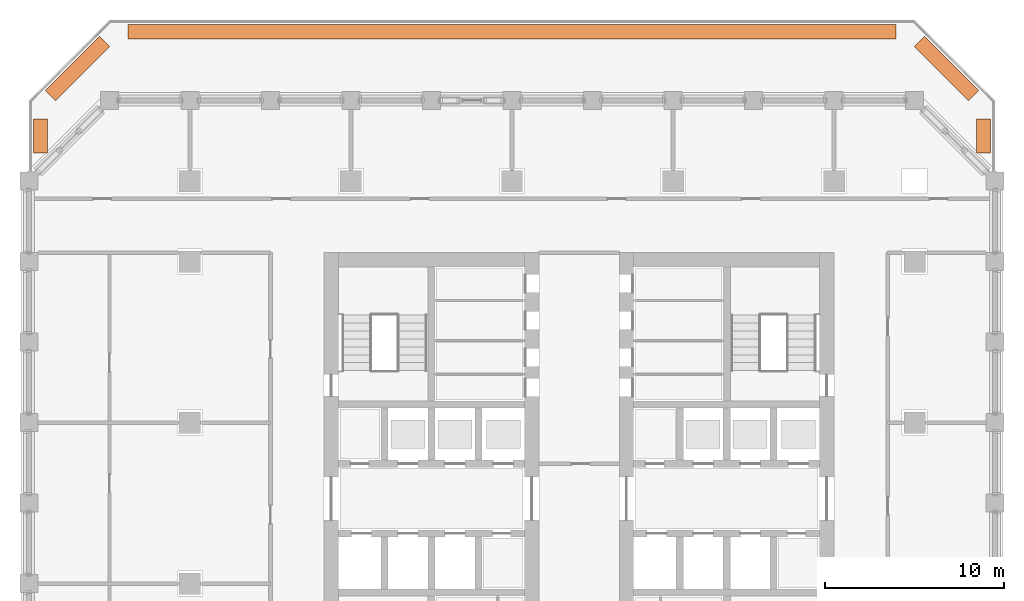
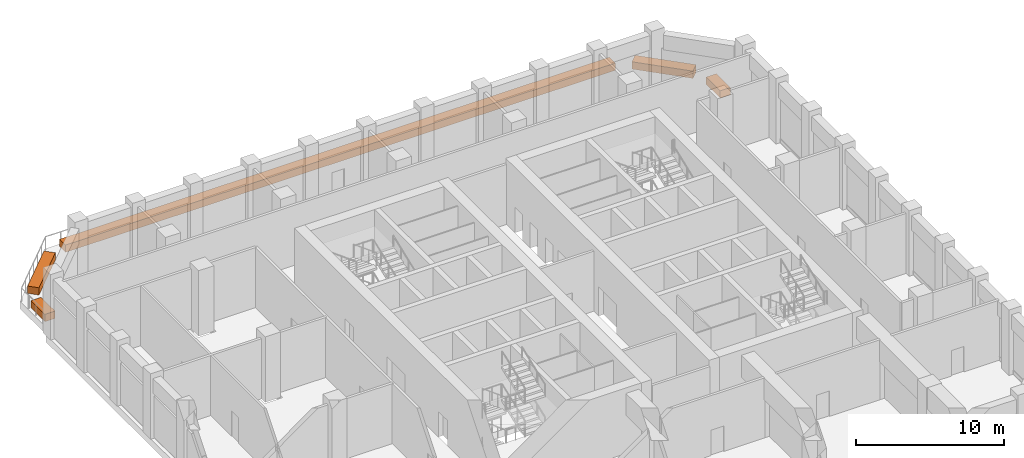
# One storey, part 20 of 20: 5 proxies.
"""IFC4 building model written with IfcOpenShell, lengths in metres."""

from ifc_helpers import new_model, si_unit, direction, frame, origin, origin_2d, place, context, subcontext, project, spatial, rectangle, extrude, material, type_object, element, save


model = new_model("IFC4")

# Units and contexts
model_context = context("Model", 3, precision=1e-05, world=origin(), true_north=direction((0.0, 1.0)))
body_context = subcontext(model_context, "Body", "Model", "MODEL_VIEW")
ifc_project = project(units=[si_unit("LENGTHUNIT", "METRE"), si_unit("AREAUNIT", "SQUARE_METRE"), si_unit("VOLUMEUNIT", "CUBIC_METRE"), si_unit("PLANEANGLEUNIT", "RADIAN"), si_unit("MASSUNIT", "GRAM", prefix="KILO")], contexts=[model_context])

# Site, building, storey
site_placement = place(None, origin())
site = spatial("IfcSite", under=ifc_project, at=site_placement, CompositionType="ELEMENT")
building_placement = place(site_placement, origin())
building = spatial("IfcBuilding", under=site, at=building_placement, Name="Corbel Stack Research Tower", CompositionType="ELEMENT")
storey_placement = place(building_placement, frame((0.0, 0.0, 151.39990234375)))
storey = spatial("IfcBuildingStorey", under=building, at=storey_placement, Name="L34", CompositionType="ELEMENT", Elevation=151.39990234375)

# Proxies
ifc_material = material(Name="Concrete C45/55", Category="concrete")
building_element_proxy_type = type_object("IfcBuildingElementProxyType", Name="Terrace planter bed", PredefinedType="USERDEFINED", material=ifc_material)
proxy_1_placement = place(storey_placement, frame((-26.35009765625, 25.016357421875, 0.0), z_axis=(0.0, 0.0, 1.0), x_axis=(0.0, 1.0, 0.0)))
element("IfcBuildingElementProxy", 1, at=proxy_1_placement, inside=storey, type_object=building_element_proxy_type, Name="Terrace planter bed L34", ObjectType="PLANTER", PredefinedType="USERDEFINED", context=body_context, shape_type="SweptSolid", body=[
    extrude(rectangle(XDim=1.88427734375, YDim=0.800048828125, at=origin_2d()), origin(), (0.0, 0.0, 1.0), 0.60009765625),
])
proxy_2_placement = place(storey_placement, frame((-24.290283203125, 28.790283203125, 0.0), z_axis=(0.0, 0.0, 1.0), x_axis=(0.707106781187, 0.707106781187, 0.0)))
element("IfcBuildingElementProxy", 2, at=proxy_2_placement, inside=storey, type_object=building_element_proxy_type, Name="Terrace planter bed L34", ObjectType="PLANTER", PredefinedType="USERDEFINED", context=body_context, shape_type="SweptSolid", body=[
    extrude(rectangle(XDim=4.281005859375, YDim=0.800048828125, at=origin_2d()), origin(), (0.0, 0.0, 1.0), 0.60009765625),
])
proxy_3_placement = place(storey_placement, frame((0.0, 30.85009765625, 0.0), z_axis=(0.0, 0.0, 1.0), x_axis=(1.0, 0.0, 0.0)))
element("IfcBuildingElementProxy", 3, at=proxy_3_placement, inside=storey, type_object=building_element_proxy_type, Name="Terrace planter bed L34", ObjectType="PLANTER", PredefinedType="USERDEFINED", context=body_context, shape_type="SweptSolid", body=[
    extrude(rectangle(XDim=42.917236328125, YDim=0.800048828125, at=origin_2d()), origin(), (0.0, 0.0, 1.0), 0.60009765625),
])
proxy_4_placement = place(storey_placement, frame((24.290283203125, 28.790283203125, 0.0), z_axis=(0.0, 0.0, 1.0), x_axis=(0.707106781187, -0.707106781187, 0.0)))
element("IfcBuildingElementProxy", 4, at=proxy_4_placement, inside=storey, type_object=building_element_proxy_type, Name="Terrace planter bed L34", ObjectType="PLANTER", PredefinedType="USERDEFINED", context=body_context, shape_type="SweptSolid", body=[
    extrude(rectangle(XDim=4.281005859375, YDim=0.800048828125, at=origin_2d()), origin(), (0.0, 0.0, 1.0), 0.60009765625),
])
proxy_5_placement = place(storey_placement, frame((26.35009765625, 25.016357421875, 0.0), z_axis=(0.0, 0.0, 1.0), x_axis=(0.0, -1.0, 0.0)))
element("IfcBuildingElementProxy", 5, at=proxy_5_placement, inside=storey, type_object=building_element_proxy_type, Name="Terrace planter bed L34", ObjectType="PLANTER", PredefinedType="USERDEFINED", context=body_context, shape_type="SweptSolid", body=[
    extrude(rectangle(XDim=1.88427734375, YDim=0.800048828125, at=origin_2d()), origin(), (0.0, 0.0, 1.0), 0.60009765625),
])

save(model, "model.ifc")
